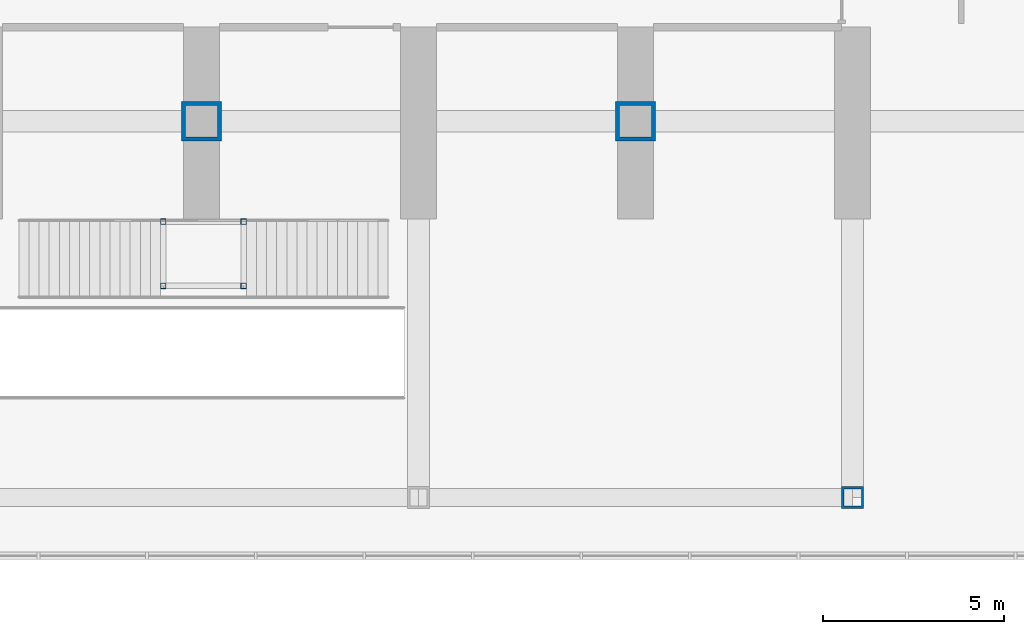
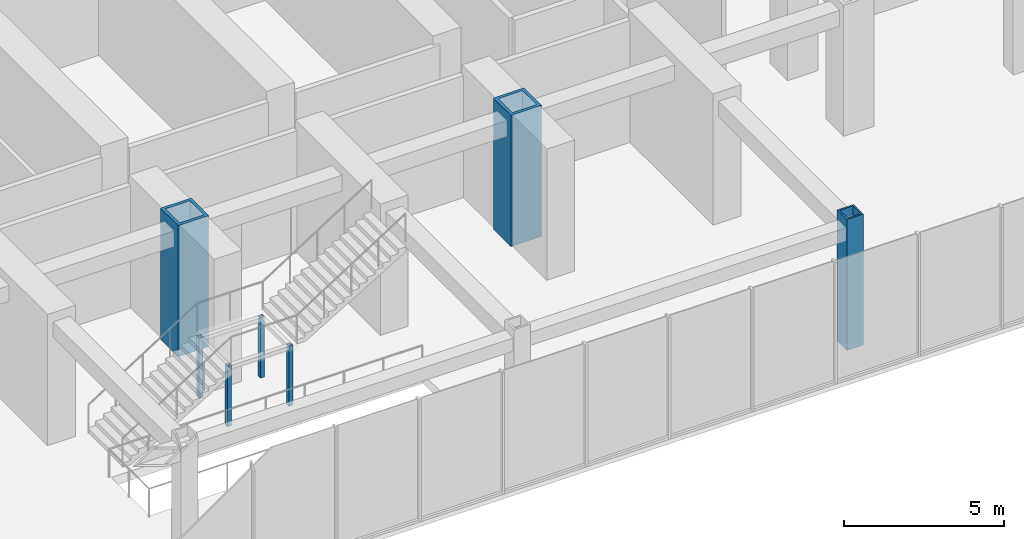
# One storey, part 2 of 37: 7 columns.
"""IFC4 building model written with IfcOpenShell, lengths in metres."""

import ifcopenshell
import ifcopenshell.guid

model = None  # the IFC model being written
_history = None  # IfcOwnerHistory: only IFC2X3 demands one
_inside = {}  # id of a spatial element -> (the spatial element, [elements in it])
_under = {}  # id of a project, library or spatial element -> (it, [spatial elements below it])
_declared = {}  # id of a project -> (the project, [libraries it declares])
_typed = {}  # id of a type object -> (the type object, [elements of that type])
_made_of = {}  # id of a material, layer set ... -> (it, [elements and type objects made of it])


def new_model(schema):
    """Start an empty IFC model of exactly this schema.

    Asked for "IFC4X3", IfcOpenShell would pick the latest addendum, in which some entities
    have other attributes; the version numbers below select the first issue.
    IFC2X3 requires an IfcOwnerHistory on every rooted entity: one is made here for all.
    """
    global model, _history
    if schema == "IFC4X3":
        model = ifcopenshell.file(schema_version=(4, 3, 0, 0))
    else:
        model = ifcopenshell.file(schema=schema)
    _inside.clear()
    _under.clear()
    _declared.clear()
    _typed.clear()
    _made_of.clear()
    _history = None
    if model.schema == "IFC2X3":
        org = make("IfcOrganization", Name="unknown")
        user = make(
            "IfcPersonAndOrganization",
            ThePerson=make("IfcPerson", FamilyName="unknown"),
            TheOrganization=org,
        )
        app = make(
            "IfcApplication",
            ApplicationDeveloper=org,
            Version="unknown",
            ApplicationFullName="unknown",
            ApplicationIdentifier="unknown",
        )
        _history = make(
            "IfcOwnerHistory",
            OwningUser=user,
            OwningApplication=app,
            ChangeAction="ADDED",
            CreationDate=0,
        )
    return model


def make(cls, **values):
    """One entity of the class cls with the attributes given. An attribute that is None is left unset."""
    return model.create_entity(
        cls, **{name: value for name, value in values.items() if value is not None}
    )


def rooted(cls, **values):
    """An entity with a GlobalId (a new one), such as an element, a storey or a relation."""
    return make(cls, GlobalId=ifcopenshell.guid.new(), OwnerHistory=_history, **values)


def si_unit(unit_type, name, prefix=None):
    """IfcSIUnit, for example si_unit("LENGTHUNIT", "METRE", prefix="MILLI")."""
    return make("IfcSIUnit", UnitType=unit_type, Prefix=prefix, Name=name)


def assignment(units):
    """IfcUnitAssignment: the units of a project."""
    return None if units is None else make("IfcUnitAssignment", Units=units)


def point(xyz):
    """IfcCartesianPoint."""
    return None if xyz is None else make("IfcCartesianPoint", Coordinates=xyz)


def direction(xyz):
    """IfcDirection."""
    return None if xyz is None else make("IfcDirection", DirectionRatios=xyz)


def frame(location, z_axis=None, x_axis=None):
    """IfcAxis2Placement3D, a coordinate frame: its origin and axes. An axis left out is left unset."""
    return make(
        "IfcAxis2Placement3D",
        Location=point(location),
        Axis=direction(z_axis),
        RefDirection=direction(x_axis),
    )


def frame_2d(location, x_axis=None):
    """IfcAxis2Placement2D, a coordinate frame in the plane: its origin and x axis."""
    return make(
        "IfcAxis2Placement2D", Location=point(location), RefDirection=direction(x_axis)
    )


def origin():
    """The frame at (0, 0, 0) with its axes left unset."""
    return frame((0.0, 0.0, 0.0))


def origin_2d():
    """The frame at (0, 0) in the plane with its x axis left unset."""
    return frame_2d((0.0, 0.0))


def place(relative_to, where):
    """IfcLocalPlacement: puts the frame where relative to a parent placement (None: the world)."""
    return make(
        "IfcLocalPlacement", PlacementRelTo=relative_to, RelativePlacement=where
    )


def context(
    kind, dimensions, precision=None, world=None, true_north=None, identifier=None
):
    """IfcGeometricRepresentationContext, for example the 3D "Model" context."""
    return make(
        "IfcGeometricRepresentationContext",
        ContextIdentifier=identifier,
        ContextType=kind,
        CoordinateSpaceDimension=dimensions,
        Precision=precision,
        WorldCoordinateSystem=world,
        TrueNorth=true_north,
    )


def subcontext(parent, identifier, kind, view, scale=None):
    """IfcGeometricRepresentationSubContext, for example "Body" below "Model"."""
    return make(
        "IfcGeometricRepresentationSubContext",
        ContextIdentifier=identifier,
        ContextType=kind,
        ParentContext=parent,
        TargetScale=scale,
        TargetView=view,
    )


def project(units=None, contexts=None):
    """IfcProject with its units and contexts."""
    return rooted(
        "IfcProject",
        Name="project",
        RepresentationContexts=contexts,
        UnitsInContext=assignment(units),
    )


def spatial(cls, under=None, at=None, **own):
    """A site, building, storey or space (cls), placed at a placement, below another one or the project."""
    s = rooted(cls, ObjectPlacement=at, **own)
    if under is not None:
        _under.setdefault(under.id(), (under, []))[1].append(s)
    return s


def profile(cls, at=None, kind="AREA", **sizes):
    """A parametric profile (cls). Its sizes go by their IFC names, for example OverallWidth=200.0."""
    return make(cls, ProfileType=kind, Position=at, **sizes)


def hollow_rectangle(**sizes):
    """IfcRectangleHollowProfileDef."""
    return profile("IfcRectangleHollowProfileDef", **sizes)


def extrude(swept, where, along, depth):
    """IfcExtrudedAreaSolid: the profile swept, set in the frame where, extruded along a direction by depth."""
    return make(
        "IfcExtrudedAreaSolid",
        SweptArea=swept,
        Position=where,
        ExtrudedDirection=direction(along),
        Depth=depth,
    )


def shape(context_of_items, identifier, shape_type, items):
    """IfcShapeRepresentation: the items that make up one representation, for example the "Body"."""
    return make(
        "IfcShapeRepresentation",
        ContextOfItems=context_of_items,
        RepresentationIdentifier=identifier,
        RepresentationType=shape_type,
        Items=items,
    )


def material(Name=None, Category=None):
    """IfcMaterial."""
    return make("IfcMaterial", Name=Name, Category=Category)


def material_profile(
    of_material, cross_section, Name=None, Category=None, Priority=None
):
    """IfcMaterialProfile: a cross section and its material."""
    return make(
        "IfcMaterialProfile",
        Name=Name,
        Material=of_material,
        Profile=cross_section,
        Priority=Priority,
        Category=Category,
    )


def profile_set(profiles, Name=None, composite=None):
    """IfcMaterialProfileSet."""
    return make(
        "IfcMaterialProfileSet",
        Name=Name,
        MaterialProfiles=profiles,
        CompositeProfile=composite,
    )


def made_of(thing, what):
    """Note that an element or type object is made of a material, layer set ...; save() writes the relation."""
    if what is not None:
        _made_of.setdefault(what.id(), (what, []))[1].append(thing)
    return thing


def type_object(cls, material=None, **own):
    """A type object (cls), such as IfcWallType, which elements share."""
    return made_of(rooted(cls, **own), material)


def element(
    cls,
    number,
    at=None,
    inside=None,
    cuts=None,
    type_object=None,
    material=None,
    context=None,
    identifier="Body",
    shape_type=None,
    held_by="IfcProductDefinitionShape",
    body=None,
    shapes=None,
    **own,
):
    """One element of the class cls, such as IfcWall. Its Tag is "e" and its number.

    at: its placement. inside: the storey or other place that contains it. cuts: it is an
    opening in that element (IfcRelVoidsElement). A single representation is given by context,
    identifier, shape_type and body (its items); several are given by shapes. held_by: the class
    of the entity that holds the representations. save() writes the other relations.
    """
    e = rooted(cls, Tag="e%d" % number, ObjectPlacement=at, **own)
    if body is not None:
        shapes = [shape(context, identifier, shape_type, body)]
    if shapes is not None:
        e.Representation = make(held_by, Representations=shapes)
    if inside is not None:
        _inside.setdefault(inside.id(), (inside, []))[1].append(e)
    if cuts is not None:
        rooted(
            "IfcRelVoidsElement", RelatingBuildingElement=cuts, RelatedOpeningElement=e
        )
    if type_object is not None:
        _typed.setdefault(type_object.id(), (type_object, []))[1].append(e)
    return made_of(e, material)


def aggregate(whole, parts):
    """IfcRelAggregates: a whole, such as a stair, and the parts it consists of."""
    return rooted("IfcRelAggregates", RelatingObject=whole, RelatedObjects=parts)


def save(model, path):
    """Write the relations noted so far, then the file.

    IfcRelAggregates (storeys below a building ...), IfcRelContainedInSpatialStructure (elements
    in a storey), IfcRelDefinesByType, IfcRelAssociatesMaterial and IfcRelDeclares: one each for
    every whole, place, type object, material and project.
    """
    for whole, parts in _under.values():
        aggregate(whole, parts)
    for where, things in _inside.values():
        rooted(
            "IfcRelContainedInSpatialStructure",
            RelatedElements=things,
            RelatingStructure=where,
        )
    for kind, things in _typed.values():
        rooted("IfcRelDefinesByType", RelatedObjects=things, RelatingType=kind)
    for what, things in _made_of.values():
        rooted("IfcRelAssociatesMaterial", RelatedObjects=things, RelatingMaterial=what)
    for by, libraries in _declared.values():
        rooted("IfcRelDeclares", RelatingContext=by, RelatedDefinitions=libraries)
    model.write(path)


model = new_model("IFC4")

# Units and contexts
model_context = context("Model", 3, precision=1e-05, world=origin(), true_north=direction((0.0, 1.0)))
body_context = subcontext(model_context, "Body", "Model", "MODEL_VIEW")
ifc_project = project(units=[si_unit("LENGTHUNIT", "METRE"), si_unit("AREAUNIT", "SQUARE_METRE"), si_unit("VOLUMEUNIT", "CUBIC_METRE"), si_unit("PLANEANGLEUNIT", "RADIAN"), si_unit("MASSUNIT", "GRAM", prefix="KILO")], contexts=[model_context])

# Site, building, storey
site_placement = place(None, origin())
site = spatial("IfcSite", under=ifc_project, at=site_placement, CompositionType="ELEMENT")
building_placement = place(site_placement, origin())
building = spatial("IfcBuilding", under=site, at=building_placement, Name="Orbita Commons", CompositionType="ELEMENT")
storey_placement = place(building_placement, frame((0.0, 0.0, 6.0)))
storey = spatial("IfcBuildingStorey", under=building, at=storey_placement, Name="L01", CompositionType="ELEMENT", Elevation=6.0)

# Columns
ifc_material_1 = material(Name="Steel ASTM A992", Category="steel")
ifc_material_profile_1 = material_profile(ifc_material_1, hollow_rectangle(XDim=0.14990234375, YDim=0.14990234375, WallThickness=0.008056640625, at=origin_2d()), Name="SHS 150x150x8")
ifc_profile_set_1 = profile_set([ifc_material_profile_1], Name="Steel ASTM A992")
column_type_1 = type_object("IfcColumnType", Name="Landing post SHS 150x150x8", PredefinedType="COLUMN", material=ifc_profile_set_1)
for number, where, z_axis, x_axis, name in (
    (1, (52.945068359375, 5.85009765625, 0.0), (0.0, 0.0, 1.0), (1.0, 0.0, 0.0), "Grand stair L01 to L02 landing post 1"),
    (2, (55.1650390625, 5.85009765625, 0.0), (0.0, 0.0, 1.0), (1.0, 0.0, 0.0), "Grand stair L01 to L02 landing post 2"),
    (3, (52.945068359375, 7.625, 0.0), (0.0, 0.0, 1.0), (1.0, 0.0, 0.0), "Grand stair L01 to L02 landing post 3"),
    (4, (55.1650390625, 7.625, 0.0), (0.0, 0.0, 1.0), (1.0, 0.0, 0.0), "Grand stair L01 to L02 landing post 4"),
):
    element("IfcColumn", number, at=place(storey_placement, frame(where, z_axis=z_axis, x_axis=x_axis)), inside=storey, type_object=column_type_1, Name=name, PredefinedType="COLUMN", context=body_context, shape_type="SweptSolid", body=[
        extrude(hollow_rectangle(XDim=0.14990234375, YDim=0.14990234375, WallThickness=0.008056640625, at=origin_2d()), origin(), (0.0, 0.0, 1.0), 2.300048828125),
    ])
ifc_material_2 = material(Name="Steel ASTM A572 Gr 42 welded plate", Category="steel")
ifc_material_profile_2 = material_profile(ifc_material_2, hollow_rectangle(XDim=1.10009765625, YDim=1.10009765625, WallThickness=0.110107421875, at=origin_2d()), Name="BOX 1100x1100x110")
ifc_profile_set_2 = profile_set([ifc_material_profile_2], Name="Steel ASTM A572 Gr 42 welded plate")
column_type_2 = type_object("IfcColumnType", Name="Steel column BOX 1100x1100x110", PredefinedType="COLUMN", material=ifc_profile_set_2)
for number, where, z_axis, x_axis, name in (
    (5, (54.0, 10.39990234375, 0.0), (0.0, 0.0, 1.0), (1.0, 0.0, 0.0), "Column 10/B L01"),
    (6, (66.0, 10.39990234375, 0.0), (0.0, 0.0, 1.0), (1.0, 0.0, 0.0), "Column 12/B L01"),
):
    element("IfcColumn", number, at=place(storey_placement, frame(where, z_axis=z_axis, x_axis=x_axis)), inside=storey, type_object=column_type_2, Name=name, PredefinedType="COLUMN", context=body_context, shape_type="SweptSolid", body=[
        extrude(hollow_rectangle(XDim=1.10009765625, YDim=1.10009765625, WallThickness=0.110107421875, at=origin_2d()), origin(), (0.0, 0.0, 1.0), 5.0),
    ])
ifc_material_3 = material(Name="Steel ASTM A572 Gr 50 welded plate", Category="steel")
ifc_material_profile_3 = material_profile(ifc_material_3, hollow_rectangle(XDim=0.60009765625, YDim=0.60009765625, WallThickness=0.06005859375, at=origin_2d()), Name="BOX 600x600x60")
ifc_profile_set_3 = profile_set([ifc_material_profile_3], Name="Steel ASTM A572 Gr 50 welded plate")
column_type_3 = type_object("IfcColumnType", Name="Steel column BOX 600x600x60", PredefinedType="COLUMN", material=ifc_profile_set_3)
column_placement = place(storey_placement, frame((72.0, 0.0, 0.0), z_axis=(0.0, 0.0, 1.0), x_axis=(1.0, 0.0, 0.0)))
element("IfcColumn", 7, at=column_placement, inside=storey, type_object=column_type_3, Name="Column 13/A L01", PredefinedType="COLUMN", context=body_context, shape_type="SweptSolid", body=[
    extrude(hollow_rectangle(XDim=0.60009765625, YDim=0.60009765625, WallThickness=0.06005859375, at=origin_2d()), origin(), (0.0, 0.0, 1.0), 5.0),
])

save(model, "model.ifc")
